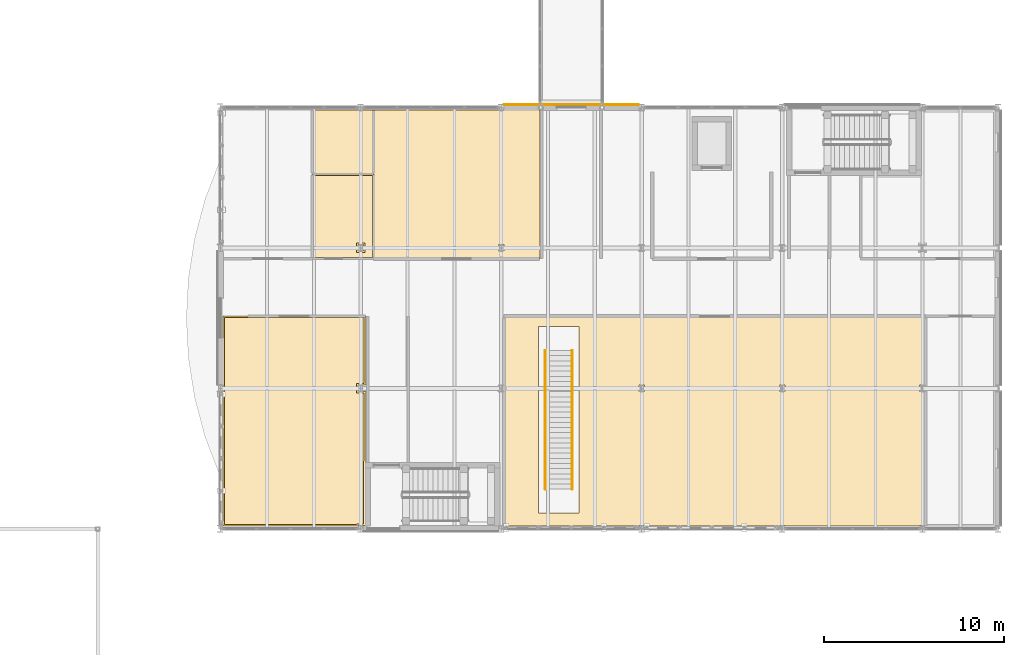
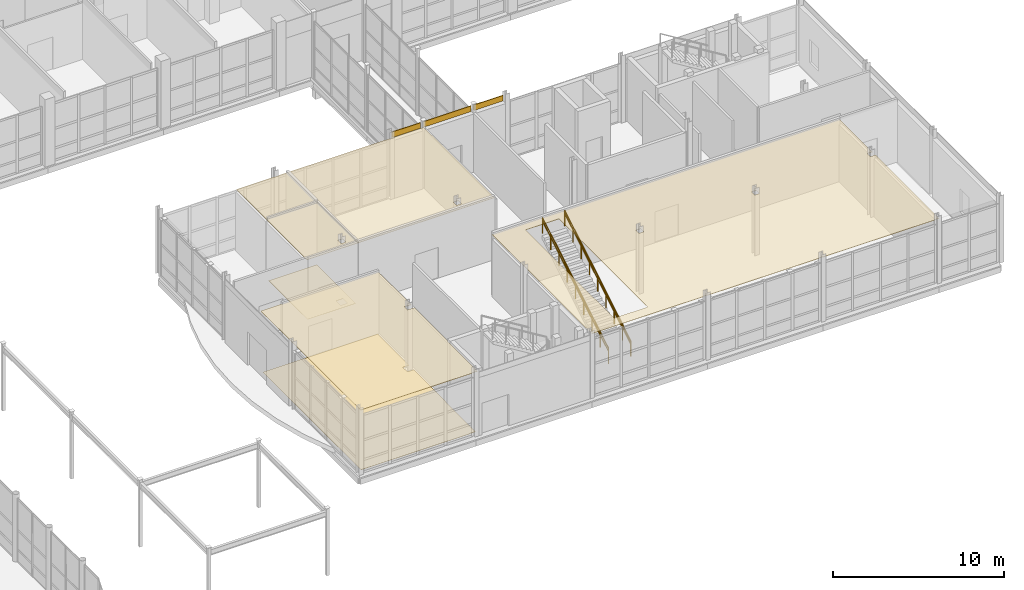
# One storey, part 127 of 131: 9 coverings, 4 railings.
"""IFC4 building model written with IfcOpenShell, lengths in metres."""

import ifcopenshell
import ifcopenshell.guid

model = None  # the IFC model being written
_history = None  # IfcOwnerHistory: only IFC2X3 demands one
_inside = {}  # id of a spatial element -> (the spatial element, [elements in it])
_under = {}  # id of a project, library or spatial element -> (it, [spatial elements below it])
_declared = {}  # id of a project -> (the project, [libraries it declares])
_typed = {}  # id of a type object -> (the type object, [elements of that type])
_made_of = {}  # id of a material, layer set ... -> (it, [elements and type objects made of it])


def new_model(schema):
    """Start an empty IFC model of exactly this schema.

    Asked for "IFC4X3", IfcOpenShell would pick the latest addendum, in which some entities
    have other attributes; the version numbers below select the first issue.
    IFC2X3 requires an IfcOwnerHistory on every rooted entity: one is made here for all.
    """
    global model, _history
    if schema == "IFC4X3":
        model = ifcopenshell.file(schema_version=(4, 3, 0, 0))
    else:
        model = ifcopenshell.file(schema=schema)
    _inside.clear()
    _under.clear()
    _declared.clear()
    _typed.clear()
    _made_of.clear()
    _history = None
    if model.schema == "IFC2X3":
        org = make("IfcOrganization", Name="unknown")
        user = make(
            "IfcPersonAndOrganization",
            ThePerson=make("IfcPerson", FamilyName="unknown"),
            TheOrganization=org,
        )
        app = make(
            "IfcApplication",
            ApplicationDeveloper=org,
            Version="unknown",
            ApplicationFullName="unknown",
            ApplicationIdentifier="unknown",
        )
        _history = make(
            "IfcOwnerHistory",
            OwningUser=user,
            OwningApplication=app,
            ChangeAction="ADDED",
            CreationDate=0,
        )
    return model


def make(cls, **values):
    """One entity of the class cls with the attributes given. An attribute that is None is left unset."""
    return model.create_entity(
        cls, **{name: value for name, value in values.items() if value is not None}
    )


def rooted(cls, **values):
    """An entity with a GlobalId (a new one), such as an element, a storey or a relation."""
    return make(cls, GlobalId=ifcopenshell.guid.new(), OwnerHistory=_history, **values)


def si_unit(unit_type, name, prefix=None):
    """IfcSIUnit, for example si_unit("LENGTHUNIT", "METRE", prefix="MILLI")."""
    return make("IfcSIUnit", UnitType=unit_type, Prefix=prefix, Name=name)


def assignment(units):
    """IfcUnitAssignment: the units of a project."""
    return None if units is None else make("IfcUnitAssignment", Units=units)


def point(xyz):
    """IfcCartesianPoint."""
    return None if xyz is None else make("IfcCartesianPoint", Coordinates=xyz)


def direction(xyz):
    """IfcDirection."""
    return None if xyz is None else make("IfcDirection", DirectionRatios=xyz)


def frame(location, z_axis=None, x_axis=None):
    """IfcAxis2Placement3D, a coordinate frame: its origin and axes. An axis left out is left unset."""
    return make(
        "IfcAxis2Placement3D",
        Location=point(location),
        Axis=direction(z_axis),
        RefDirection=direction(x_axis),
    )


def frame_2d(location, x_axis=None):
    """IfcAxis2Placement2D, a coordinate frame in the plane: its origin and x axis."""
    return make(
        "IfcAxis2Placement2D", Location=point(location), RefDirection=direction(x_axis)
    )


def origin():
    """The frame at (0, 0, 0) with its axes left unset."""
    return frame((0.0, 0.0, 0.0))


def origin_2d():
    """The frame at (0, 0) in the plane with its x axis left unset."""
    return frame_2d((0.0, 0.0))


def place(relative_to, where):
    """IfcLocalPlacement: puts the frame where relative to a parent placement (None: the world)."""
    return make(
        "IfcLocalPlacement", PlacementRelTo=relative_to, RelativePlacement=where
    )


def context(
    kind, dimensions, precision=None, world=None, true_north=None, identifier=None
):
    """IfcGeometricRepresentationContext, for example the 3D "Model" context."""
    return make(
        "IfcGeometricRepresentationContext",
        ContextIdentifier=identifier,
        ContextType=kind,
        CoordinateSpaceDimension=dimensions,
        Precision=precision,
        WorldCoordinateSystem=world,
        TrueNorth=true_north,
    )


def subcontext(parent, identifier, kind, view, scale=None):
    """IfcGeometricRepresentationSubContext, for example "Body" below "Model"."""
    return make(
        "IfcGeometricRepresentationSubContext",
        ContextIdentifier=identifier,
        ContextType=kind,
        ParentContext=parent,
        TargetScale=scale,
        TargetView=view,
    )


def project(units=None, contexts=None):
    """IfcProject with its units and contexts."""
    return rooted(
        "IfcProject",
        Name="project",
        RepresentationContexts=contexts,
        UnitsInContext=assignment(units),
    )


def spatial(cls, under=None, at=None, **own):
    """A site, building, storey or space (cls), placed at a placement, below another one or the project."""
    s = rooted(cls, ObjectPlacement=at, **own)
    if under is not None:
        _under.setdefault(under.id(), (under, []))[1].append(s)
    return s


def polyline(points):
    """IfcPolyline through the points."""
    return make("IfcPolyline", Points=[point(p) for p in points])


def profile(cls, at=None, kind="AREA", **sizes):
    """A parametric profile (cls). Its sizes go by their IFC names, for example OverallWidth=200.0."""
    return make(cls, ProfileType=kind, Position=at, **sizes)


def rectangle(**sizes):
    """IfcRectangleProfileDef."""
    return profile("IfcRectangleProfileDef", **sizes)


def circle(**sizes):
    """IfcCircleProfileDef."""
    return profile("IfcCircleProfileDef", **sizes)


def outline(outer, holes=None, kind="AREA"):
    """IfcArbitraryClosedProfileDef: a profile drawn as a closed curve; with holes, ...WithVoids."""
    if holes is None:
        return make("IfcArbitraryClosedProfileDef", ProfileType=kind, OuterCurve=outer)
    return make(
        "IfcArbitraryProfileDefWithVoids",
        ProfileType=kind,
        OuterCurve=outer,
        InnerCurves=holes,
    )


def extrude(swept, where, along, depth):
    """IfcExtrudedAreaSolid: the profile swept, set in the frame where, extruded along a direction by depth."""
    return make(
        "IfcExtrudedAreaSolid",
        SweptArea=swept,
        Position=where,
        ExtrudedDirection=direction(along),
        Depth=depth,
    )


def shape(context_of_items, identifier, shape_type, items):
    """IfcShapeRepresentation: the items that make up one representation, for example the "Body"."""
    return make(
        "IfcShapeRepresentation",
        ContextOfItems=context_of_items,
        RepresentationIdentifier=identifier,
        RepresentationType=shape_type,
        Items=items,
    )


def material(Name=None, Category=None):
    """IfcMaterial."""
    return make("IfcMaterial", Name=Name, Category=Category)


def layer(
    of_material, thickness, ventilated=None, Name=None, Category=None, Priority=None
):
    """IfcMaterialLayer: one layer of a wall or slab, of a material (None: an air gap)."""
    return make(
        "IfcMaterialLayer",
        Material=of_material,
        LayerThickness=thickness,
        IsVentilated=ventilated,
        Name=Name,
        Category=Category,
        Priority=Priority,
    )


def layer_set(layers, Name=None):
    """IfcMaterialLayerSet."""
    return make("IfcMaterialLayerSet", MaterialLayers=layers, LayerSetName=Name)


def made_of(thing, what):
    """Note that an element or type object is made of a material, layer set ...; save() writes the relation."""
    if what is not None:
        _made_of.setdefault(what.id(), (what, []))[1].append(thing)
    return thing


def type_object(cls, material=None, **own):
    """A type object (cls), such as IfcWallType, which elements share."""
    return made_of(rooted(cls, **own), material)


def element(
    cls,
    number,
    at=None,
    inside=None,
    cuts=None,
    type_object=None,
    material=None,
    context=None,
    identifier="Body",
    shape_type=None,
    held_by="IfcProductDefinitionShape",
    body=None,
    shapes=None,
    **own,
):
    """One element of the class cls, such as IfcWall. Its Tag is "e" and its number.

    at: its placement. inside: the storey or other place that contains it. cuts: it is an
    opening in that element (IfcRelVoidsElement). A single representation is given by context,
    identifier, shape_type and body (its items); several are given by shapes. held_by: the class
    of the entity that holds the representations. save() writes the other relations.
    """
    e = rooted(cls, Tag="e%d" % number, ObjectPlacement=at, **own)
    if body is not None:
        shapes = [shape(context, identifier, shape_type, body)]
    if shapes is not None:
        e.Representation = make(held_by, Representations=shapes)
    if inside is not None:
        _inside.setdefault(inside.id(), (inside, []))[1].append(e)
    if cuts is not None:
        rooted(
            "IfcRelVoidsElement", RelatingBuildingElement=cuts, RelatedOpeningElement=e
        )
    if type_object is not None:
        _typed.setdefault(type_object.id(), (type_object, []))[1].append(e)
    return made_of(e, material)


def aggregate(whole, parts):
    """IfcRelAggregates: a whole, such as a stair, and the parts it consists of."""
    return rooted("IfcRelAggregates", RelatingObject=whole, RelatedObjects=parts)


def save(model, path):
    """Write the relations noted so far, then the file.

    IfcRelAggregates (storeys below a building ...), IfcRelContainedInSpatialStructure (elements
    in a storey), IfcRelDefinesByType, IfcRelAssociatesMaterial and IfcRelDeclares: one each for
    every whole, place, type object, material and project.
    """
    for whole, parts in _under.values():
        aggregate(whole, parts)
    for where, things in _inside.values():
        rooted(
            "IfcRelContainedInSpatialStructure",
            RelatedElements=things,
            RelatingStructure=where,
        )
    for kind, things in _typed.values():
        rooted("IfcRelDefinesByType", RelatedObjects=things, RelatingType=kind)
    for what, things in _made_of.values():
        rooted("IfcRelAssociatesMaterial", RelatedObjects=things, RelatingMaterial=what)
    for by, libraries in _declared.values():
        rooted("IfcRelDeclares", RelatingContext=by, RelatedDefinitions=libraries)
    model.write(path)


model = new_model("IFC4")

# Units and contexts
model_context = context("Model", 3, precision=1e-05, world=origin(), true_north=direction((0.0, 1.0)))
body_context = subcontext(model_context, "Body", "Model", "MODEL_VIEW")
ifc_project = project(units=[si_unit("LENGTHUNIT", "METRE"), si_unit("AREAUNIT", "SQUARE_METRE"), si_unit("VOLUMEUNIT", "CUBIC_METRE"), si_unit("PLANEANGLEUNIT", "RADIAN"), si_unit("MASSUNIT", "GRAM", prefix="KILO")], contexts=[model_context])

# Site, building, storey
site_placement = place(None, origin())
site = spatial("IfcSite", under=ifc_project, at=site_placement, CompositionType="ELEMENT")
building_placement = place(site_placement, origin())
building = spatial("IfcBuilding", under=site, at=building_placement, Name="Celorna Specialist Clinic", CompositionType="ELEMENT")
storey_placement = place(building_placement, origin())
storey = spatial("IfcBuildingStorey", under=building, at=storey_placement, Name="L00", CompositionType="ELEMENT", Elevation=0.0)

# Railings
ifc_material_1 = material(Name="Stainless steel and laminated glass balustrade", Category="steel")
railing_type_1 = type_object("IfcRailingType", Name="BL-01", PredefinedType="BALUSTRADE", material=ifc_material_1)
for number, where, name in (
    (1, (144.35009765625, 62.199951171875, 0.17138671875), "Feature stair ST-18 balustrade"),
    (2, (142.85009765625, 62.199951171875, 0.17138671875), "Feature stair ST-18 balustrade"),
):
    element("IfcRailing", number, at=place(storey_placement, frame(where)), inside=storey, type_object=railing_type_1, Name=name, PredefinedType="BALUSTRADE", context=body_context, shape_type="SweptSolid", body=[
        extrude(circle(Radius=0.02392578125, at=origin_2d()), frame((0.0, 0.0, 1.09619140625), z_axis=(0.0, 0.856921461139, 0.515446999642), x_axis=(-1.0, 0.0, 0.0)), (0.0, 0.0, 1.0), 8.97998046875),
        extrude(circle(Radius=0.02099609375, at=origin_2d()), origin(), (0.0, 0.0, 1.0), 1.072021484375),
        extrude(circle(Radius=0.02099609375, at=origin_2d()), frame((0.0, 0.9619140625, 0.57861328125)), (0.0, 0.0, 1.0), 1.072021484375),
        extrude(circle(Radius=0.02099609375, at=origin_2d()), frame((0.0, 1.923828125, 1.1572265625)), (0.0, 0.0, 1.0), 1.072021484375),
        extrude(circle(Radius=0.02099609375, at=origin_2d()), frame((0.0, 2.8857421875, 1.73583984375)), (0.0, 0.0, 1.0), 1.072021484375),
        extrude(circle(Radius=0.02099609375, at=origin_2d()), frame((0.0, 3.84765625, 2.314453125)), (0.0, 0.0, 1.0), 1.072021484375),
        extrude(circle(Radius=0.02099609375, at=origin_2d()), frame((0.0, 4.809326171875, 2.892822265625)), (0.0, 0.0, 1.0), 1.072021484375),
        extrude(circle(Radius=0.02099609375, at=origin_2d()), frame((0.0, 5.771240234375, 3.471435546875)), (0.0, 0.0, 1.0), 1.072021484375),
        extrude(circle(Radius=0.02099609375, at=origin_2d()), frame((0.0, 6.733154296875, 4.050048828125)), (0.0, 0.0, 1.0), 1.072021484375),
        extrude(circle(Radius=0.02099609375, at=origin_2d()), frame((0.0, 7.695068359375, 4.628662109375)), (0.0, 0.0, 1.0), 1.072021484375),
    ])

# Coverings
ifc_material_2 = material(Name="Hygienic acoustic mineral-fibre ceiling")
ifc_layer_1 = layer(ifc_material_2, 0.030029296875, Name="Hygienic acoustic mineral-fibre ceiling")
ifc_layer_set_1 = layer_set([ifc_layer_1], Name="Hygienic acoustic mineral-fibre ceiling")
covering_type_1 = type_object("IfcCoveringType", Name="CE-01", PredefinedType="CEILING", material=ifc_layer_set_1)
covering_1_placement = place(storey_placement, frame((0.0, 0.0, 4.330078125)))
element("IfcCovering", 3, at=covering_1_placement, inside=storey, type_object=covering_type_1, Name="Acoustic ceiling L00-039", PredefinedType="CEILING", context=body_context, shape_type="SweptSolid", body=[
    extrude(outline(polyline([(132.885009765625, 71.81494140625), (132.885009765625, 67.97509765625), (132.7548828125, 67.97509765625), (132.7548828125, 67.985107421875), (132.445068359375, 67.985107421875), (132.445068359375, 67.614990234375), (132.7548828125, 67.614990234375), (132.7548828125, 67.625), (132.885009765625, 67.625), (132.885009765625, 63.6650390625), (132.85498046875, 63.6650390625), (132.85498046875, 60.175048828125), (132.7548828125, 60.175048828125), (132.7548828125, 60.18505859375), (132.445068359375, 60.18505859375), (132.445068359375, 60.155029296875), (124.955078125, 60.155029296875), (124.955078125, 60.199951171875), (124.955078125, 67.60009765625), (124.955078125, 68.0), (124.955078125, 71.81494140625), (132.885009765625, 71.81494140625)])), origin(), (0.0, 0.0, 1.0), 0.030029296875),
])
covering_2_placement = place(storey_placement, frame((0.0, 0.0, 4.330078125)))
element("IfcCovering", 4, at=covering_2_placement, inside=storey, type_object=covering_type_1, Name="Acoustic ceiling L00-040", PredefinedType="CEILING", context=body_context, shape_type="SweptSolid", body=[
    extrude(outline(polyline([(163.985107421875, 71.81494140625), (163.985107421875, 67.97509765625), (163.955078125, 67.97509765625), (163.955078125, 67.985107421875), (163.64501953125, 67.985107421875), (163.64501953125, 67.614990234375), (163.955078125, 67.614990234375), (163.955078125, 67.625), (163.985107421875, 67.625), (163.985107421875, 60.175048828125), (163.955078125, 60.175048828125), (163.955078125, 60.18505859375), (163.64501953125, 60.18505859375), (163.64501953125, 60.155029296875), (156.155029296875, 60.155029296875), (156.155029296875, 60.18505859375), (155.844970703125, 60.18505859375), (155.844970703125, 60.155029296875), (148.35498046875, 60.155029296875), (148.35498046875, 60.18505859375), (148.044921875, 60.18505859375), (148.044921875, 60.155029296875), (140.554931640625, 60.155029296875), (140.554931640625, 60.18505859375), (140.554931640625, 67.614990234375), (140.554931640625, 67.985107421875), (140.554931640625, 71.81494140625), (163.985107421875, 71.81494140625)]), holes=[polyline([(144.735107421875, 71.22998046875), (142.465087890625, 71.22998046875), (142.465087890625, 60.864990234375), (144.735107421875, 60.864990234375), (144.735107421875, 71.22998046875)]), polyline([(156.155029296875, 67.985107421875), (155.844970703125, 67.985107421875), (155.844970703125, 67.614990234375), (156.155029296875, 67.614990234375), (156.155029296875, 67.985107421875)]), polyline([(148.35498046875, 67.614990234375), (148.35498046875, 67.985107421875), (148.044921875, 67.985107421875), (148.044921875, 67.614990234375), (148.35498046875, 67.614990234375)])]), origin(), (0.0, 0.0, 1.0), 0.030029296875),
])
covering_3_placement = place(storey_placement, frame((0.0, 0.0, 4.330078125)))
element("IfcCovering", 5, at=covering_3_placement, inside=storey, type_object=covering_type_1, Name="Acoustic ceiling L00-043", PredefinedType="CEILING", context=body_context, shape_type="SweptSolid", body=[
    extrude(outline(polyline([(133.3349609375, 79.715087890625), (133.3349609375, 74.985107421875), (129.905029296875, 74.985107421875), (129.905029296875, 79.715087890625), (133.3349609375, 79.715087890625)]), holes=[polyline([(132.7548828125, 75.784912109375), (132.445068359375, 75.784912109375), (132.445068359375, 75.4150390625), (132.7548828125, 75.4150390625), (132.7548828125, 75.784912109375)])]), origin(), (0.0, 0.0, 1.0), 0.030029296875),
])
covering_4_placement = place(storey_placement, frame((0.0, 0.0, 4.330078125)))
element("IfcCovering", 6, at=covering_4_placement, inside=storey, type_object=covering_type_1, Name="Acoustic ceiling L00-044", PredefinedType="CEILING", context=body_context, shape_type="SweptSolid", body=[
    extrude(outline(polyline([(140.2451171875, 83.2451171875), (140.2451171875, 83.215087890625), (140.554931640625, 83.215087890625), (140.554931640625, 83.2451171875), (142.544921875, 83.2451171875), (142.544921875, 74.985107421875), (133.304931640625, 74.985107421875), (133.304931640625, 79.68505859375), (129.905029296875, 79.68505859375), (129.905029296875, 83.2451171875), (132.445068359375, 83.2451171875), (132.445068359375, 83.215087890625), (132.7548828125, 83.215087890625), (132.7548828125, 83.2451171875), (140.2451171875, 83.2451171875)]), holes=[polyline([(140.554931640625, 75.4150390625), (140.554931640625, 75.784912109375), (140.2451171875, 75.784912109375), (140.2451171875, 75.4150390625), (140.554931640625, 75.4150390625)])]), origin(), (0.0, 0.0, 1.0), 0.030029296875),
])
ifc_material_3 = material(Name="Pero Pinheiro Lioz limestone rainscreen cladding", Category="masonry")
ifc_layer_2 = layer(ifc_material_3, 0.044921875, Name="Pero Pinheiro Lioz limestone rainscreen cladding")
ifc_layer_set_2 = layer_set([ifc_layer_2], Name="Pero Pinheiro Lioz limestone rainscreen cladding")
covering_type_2 = type_object("IfcCoveringType", Name="CL-01", PredefinedType="CLADDING", material=ifc_layer_set_2)
covering_5_placement = place(storey_placement, frame((141.52490234375, 83.547607421875, 4.14013671875), z_axis=(0.0, 0.0, 1.0), x_axis=(1.0, 0.0, 0.0)))
element("IfcCovering", 7, at=covering_5_placement, inside=storey, type_object=covering_type_2, Name="Lioz spandrel cladding #142", PredefinedType="CLADDING", context=body_context, shape_type="SweptSolid", body=[
    extrude(rectangle(XDim=1.949951171875, YDim=0.044921875, at=origin_2d()), origin(), (0.0, 0.0, 1.0), 0.39990234375),
])
covering_6_placement = place(storey_placement, frame((144.300048828125, 83.547607421875, 4.14013671875), z_axis=(0.0, 0.0, 1.0), x_axis=(1.0, 0.0, 0.0)))
element("IfcCovering", 8, at=covering_6_placement, inside=storey, type_object=covering_type_2, Name="Lioz spandrel cladding #143", PredefinedType="CLADDING", context=body_context, shape_type="SweptSolid", body=[
    extrude(rectangle(XDim=3.199951171875, YDim=0.044921875, at=origin_2d()), origin(), (0.0, 0.0, 1.0), 0.39990234375),
])
covering_7_placement = place(storey_placement, frame((147.074951171875, 83.547607421875, 4.14013671875), z_axis=(0.0, 0.0, 1.0), x_axis=(1.0, 0.0, 0.0)))
element("IfcCovering", 9, at=covering_7_placement, inside=storey, type_object=covering_type_2, Name="Lioz spandrel cladding #144", PredefinedType="CLADDING", context=body_context, shape_type="SweptSolid", body=[
    extrude(rectangle(XDim=1.949951171875, YDim=0.044921875, at=origin_2d()), origin(), (0.0, 0.0, 1.0), 0.39990234375),
])
ifc_material_4 = material(Name="Seamless antimicrobial clinical vinyl and Lioz terrazzo flooring")
ifc_layer_3 = layer(ifc_material_4, 0.02001953125, Name="Seamless antimicrobial clinical vinyl and Lioz terrazzo flooring")
ifc_layer_set_3 = layer_set([ifc_layer_3], Name="Seamless antimicrobial clinical vinyl and Lioz terrazzo flooring")
covering_type_3 = type_object("IfcCoveringType", Name="FL-01", PredefinedType="FLOORING", material=ifc_layer_set_3)
covering_8_placement = place(storey_placement, origin())
element("IfcCovering", 10, at=covering_8_placement, inside=storey, type_object=covering_type_3, Name="Antimicrobial clinical flooring L00-039", PredefinedType="FLOORING", context=body_context, shape_type="SweptSolid", body=[
    extrude(outline(polyline([(125.044921875, 71.72509765625), (132.794921875, 71.72509765625), (132.794921875, 68.06494140625), (132.364990234375, 68.06494140625), (132.364990234375, 67.534912109375), (132.794921875, 67.534912109375), (132.794921875, 63.7548828125), (132.764892578125, 63.7548828125), (132.764892578125, 60.264892578125), (132.364990234375, 60.264892578125), (132.364990234375, 60.2451171875), (125.044921875, 60.2451171875), (125.044921875, 71.72509765625)])), origin(), (0.0, 0.0, 1.0), 0.02001953125),
])
covering_9_placement = place(storey_placement, origin())
element("IfcCovering", 11, at=covering_9_placement, inside=storey, type_object=covering_type_3, Name="Antimicrobial clinical flooring L00-043", PredefinedType="FLOORING", context=body_context, shape_type="SweptSolid", body=[
    extrude(outline(polyline([(129.9951171875, 79.625), (133.2451171875, 79.625), (133.2451171875, 75.074951171875), (129.9951171875, 75.074951171875), (129.9951171875, 79.625)]), holes=[polyline([(132.8349609375, 75.864990234375), (132.364990234375, 75.864990234375), (132.364990234375, 75.3349609375), (132.8349609375, 75.3349609375), (132.8349609375, 75.864990234375)])]), origin(), (0.0, 0.0, 1.0), 0.02001953125),
])

# Railings
ifc_material_5 = material(Name="Brushed stainless steel handrail", Category="steel")
railing_type_2 = type_object("IfcRailingType", Name="HR-01", PredefinedType="HANDRAIL", material=ifc_material_5)
for number, where, name in (
    (12, (144.35009765625, 62.199951171875, 0.17138671875), "Feature stair ST-18 handrail"),
    (13, (142.85009765625, 62.199951171875, 0.17138671875), "Feature stair ST-18 handrail"),
):
    element("IfcRailing", number, at=place(storey_placement, frame(where)), inside=storey, type_object=railing_type_2, Name=name, PredefinedType="HANDRAIL", context=body_context, shape_type="SweptSolid", body=[
        extrude(circle(Radius=0.02392578125, at=origin_2d()), frame((0.0, 0.0, 0.8759765625), z_axis=(0.0, 0.856921461139, 0.515446999642), x_axis=(-1.0, 0.0, 0.0)), (0.0, 0.0, 1.0), 8.97998046875),
        extrude(circle(Radius=0.02099609375, at=origin_2d()), origin(), (0.0, 0.0, 1.0), 0.851806640625),
        extrude(circle(Radius=0.02099609375, at=origin_2d()), frame((0.0, 0.9619140625, 0.57861328125)), (0.0, 0.0, 1.0), 0.851806640625),
        extrude(circle(Radius=0.02099609375, at=origin_2d()), frame((0.0, 1.923828125, 1.1572265625)), (0.0, 0.0, 1.0), 0.851806640625),
        extrude(circle(Radius=0.02099609375, at=origin_2d()), frame((0.0, 2.8857421875, 1.73583984375)), (0.0, 0.0, 1.0), 0.851806640625),
        extrude(circle(Radius=0.02099609375, at=origin_2d()), frame((0.0, 3.84765625, 2.314453125)), (0.0, 0.0, 1.0), 0.851806640625),
        extrude(circle(Radius=0.02099609375, at=origin_2d()), frame((0.0, 4.809326171875, 2.892822265625)), (0.0, 0.0, 1.0), 0.851806640625),
        extrude(circle(Radius=0.02099609375, at=origin_2d()), frame((0.0, 5.771240234375, 3.471435546875)), (0.0, 0.0, 1.0), 0.851806640625),
        extrude(circle(Radius=0.02099609375, at=origin_2d()), frame((0.0, 6.733154296875, 4.050048828125)), (0.0, 0.0, 1.0), 0.851806640625),
        extrude(circle(Radius=0.02099609375, at=origin_2d()), frame((0.0, 7.695068359375, 4.628662109375)), (0.0, 0.0, 1.0), 0.851806640625),
    ])

save(model, "model.ifc")
